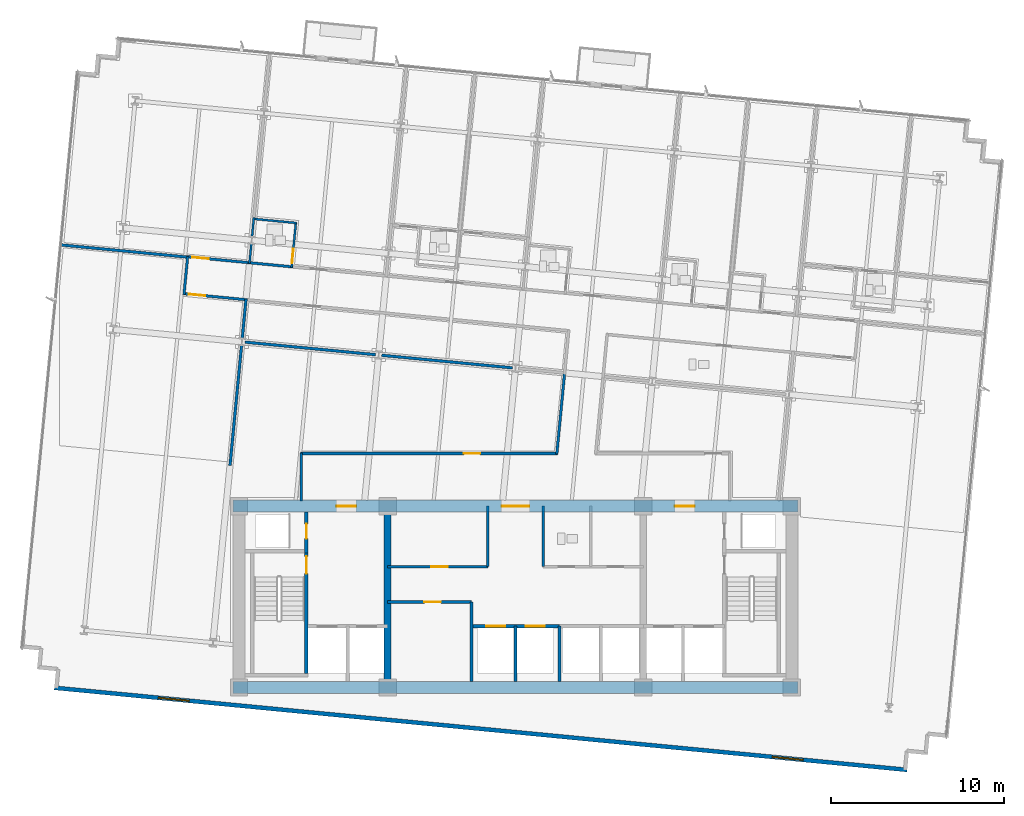
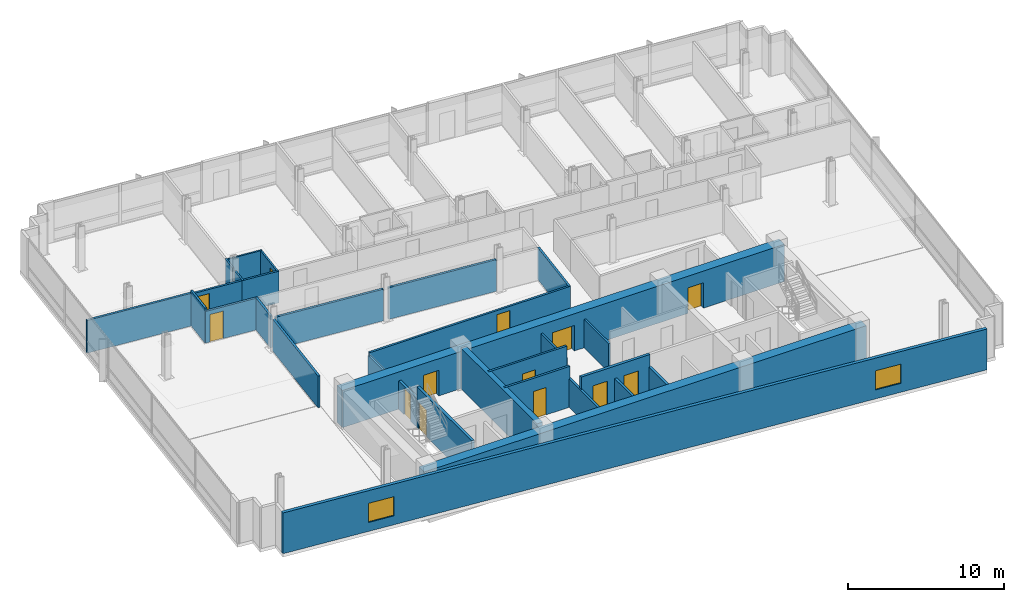
# One storey, part 10 of 17: 30 walls, 13 doors, 2 windows, 15 openings.
"""IFC4 building model written with IfcOpenShell, lengths in metres."""

from ifc_helpers import new_model, si_unit, direction, frame, frame_2d, origin, place, context, subcontext, project, spatial, rectangle, extrude, material, layer, layer_set, type_object, element, fill, save


model = new_model("IFC4")

# Units and contexts
model_context = context("Model", 3, precision=1e-05, world=origin(), true_north=direction((0.0, 1.0)))
body_context = subcontext(model_context, "Body", "Model", "MODEL_VIEW")
ifc_project = project(units=[si_unit("LENGTHUNIT", "METRE"), si_unit("AREAUNIT", "SQUARE_METRE"), si_unit("VOLUMEUNIT", "CUBIC_METRE"), si_unit("PLANEANGLEUNIT", "RADIAN"), si_unit("MASSUNIT", "GRAM", prefix="KILO")], contexts=[model_context])

# Site, building, storey
site_placement = place(None, origin())
site = spatial("IfcSite", under=ifc_project, at=site_placement, CompositionType="ELEMENT")
building_placement = place(site_placement, origin())
building = spatial("IfcBuilding", under=site, at=building_placement, Name="Solmavex Isthmus Hotel", CompositionType="ELEMENT")
storey_placement = place(building_placement, frame((0.0, 0.0, 142.800048828125)))
storey = spatial("IfcBuildingStorey", under=building, at=storey_placement, Name="L38", CompositionType="ELEMENT", Elevation=142.800048828125)

# Wall, openings, windows
ifc_material_1 = material(Name="Precast Concrete C40/50", Category="concrete")
ifc_layer_1 = layer(ifc_material_1, 0.25)
ifc_layer_set_1 = layer_set([ifc_layer_1], Name="Precast Concrete C40/50")
wall_type_1 = type_object("IfcWallType", Name="EW-TWR-250", PredefinedType="STANDARD", material=ifc_layer_set_1)
wall_1_placement = place(storey_placement, frame((-26.6953125, -13.01611328125, 0.0), z_axis=(0.0, 0.0, 1.0), x_axis=(0.995396268366, -0.095845025554, 0.0)))
wall_1 = element("IfcWall", 1, at=wall_1_placement, inside=storey, type_object=wall_type_1, Name="Tower Rear South Facade Wall L38", PredefinedType="STANDARD", context=body_context, shape_type="SweptSolid", body=[
    extrude(rectangle(XDim=49.599853515625, YDim=0.239990234375, at=frame_2d((24.7998046875, 0.0))), origin(), (0.0, 0.0, 1.0), 3.18994140625),
])
opening_1_placement = place(wall_1_placement, frame((6.0439453125, 0.0, 0.699951171875)))
opening_1 = element("IfcOpeningElement", 2, at=opening_1_placement, cuts=wall_1, Name="Opening WN-02", PredefinedType="OPENING", context=body_context, shape_type="SweptSolid", body=[
    extrude(rectangle(XDim=1.800048828125, YDim=1.5, at=frame_2d((0.89990234375, 0.75))), frame((0.0, 0.1298828125, 0.0), z_axis=(0.0, -1.0, 0.0), x_axis=(1.0, 0.0, 0.0)), (0.0, 0.0, 1.0), 0.260009765625),
])
opening_2_placement = place(wall_1_placement, frame((41.756103515625, 0.0, 0.699951171875)))
opening_2 = element("IfcOpeningElement", 3, at=opening_2_placement, cuts=wall_1, Name="Opening WN-02", PredefinedType="OPENING", context=body_context, shape_type="SweptSolid", body=[
    extrude(rectangle(XDim=1.800048828125, YDim=1.5, at=frame_2d((0.89990234375, 0.75))), frame((0.0, 0.1298828125, 0.0), z_axis=(0.0, -1.0, 0.0), x_axis=(1.0, 0.0, 0.0)), (0.0, 0.0, 1.0), 0.260009765625),
])
ifc_material_2 = material(Name="Clear low-E laminated glass", Category="glass")
window_type = type_object("IfcWindowType", Name="WIN-TWR-1800", PartitioningType="SINGLE_PANEL", PredefinedType="WINDOW", material=ifc_material_2)
window_1_placement = place(opening_1_placement, origin())
window_1 = element("IfcWindow", 4, at=window_1_placement, inside=storey, type_object=window_type, Name="South Facade Vision Window L38-S1", OverallHeight=1.5, OverallWidth=1.800048828125, PartitioningType="SINGLE_PANEL", PredefinedType="WINDOW", context=body_context, shape_type="SweptSolid", body=[
    extrude(rectangle(XDim=1.800048828125, YDim=1.5, at=frame_2d((0.89990234375, 0.75))), frame((0.0, 0.030029296875, 0.0), z_axis=(0.0, -1.0, 0.0), x_axis=(1.0, 0.0, 0.0)), (0.0, 0.0, 1.0), 0.06005859375),
])
fill(opening_1, window_1)
window_2_placement = place(opening_2_placement, origin())
window_2 = element("IfcWindow", 5, at=window_2_placement, inside=storey, type_object=window_type, Name="South Facade Vision Window L38-S2", OverallHeight=1.5, OverallWidth=1.800048828125, PartitioningType="SINGLE_PANEL", PredefinedType="WINDOW", context=body_context, shape_type="SweptSolid", body=[
    extrude(rectangle(XDim=1.800048828125, YDim=1.5, at=frame_2d((0.89990234375, 0.75))), frame((0.0, 0.030029296875, 0.0), z_axis=(0.0, -1.0, 0.0), x_axis=(1.0, 0.0, 0.0)), (0.0, 0.0, 1.0), 0.06005859375),
])
fill(opening_2, window_2)

# Wall, opening, door
ifc_material_3 = material(Name="Gypsum plasterboard lining", Category="gypsum")
ifc_layer_2 = layer(ifc_material_3, 0.159912109375)
ifc_layer_set_2 = layer_set([ifc_layer_2], Name="Gypsum plasterboard lining")
wall_type_2 = type_object("IfcWallType", Name="IW-COMP-160", PredefinedType="PARTITIONING", material=ifc_layer_set_2)
wall_2_placement = place(storey_placement, frame((-7.39990234375, -8.050048828125, 0.0), z_axis=(0.0, 0.0, 1.0), x_axis=(1.0, 0.0, 0.0)))
wall_2 = element("IfcWall", 6, at=wall_2_placement, inside=storey, type_object=wall_type_2, Name="Interior Partition Wall W-L38-REC-PLL-N", PredefinedType="PARTITIONING", context=body_context, shape_type="SweptSolid", body=[
    extrude(rectangle(XDim=4.849853515625, YDim=0.159912109375, at=frame_2d((2.4248046875, 0.0))), origin(), (0.0, 0.0, 1.0), 3.18994140625),
])
opening_3_placement = place(wall_2_placement, frame((2.125, 0.0, 0.0)))
opening_3 = element("IfcOpeningElement", 7, at=opening_3_placement, cuts=wall_2, Name="Opening ID-C095", PredefinedType="OPENING", context=body_context, shape_type="SweptSolid", body=[
    extrude(rectangle(XDim=0.949951171875, YDim=2.14990234375, at=frame_2d((0.47509765625, 1.074951171875))), frame((0.0, 0.08984375, 0.0), z_axis=(0.0, -1.0, 0.0), x_axis=(1.0, 0.0, 0.0)), (0.0, 0.0, 1.0), 0.179931640625),
])
ifc_material_4 = material(Name="Hardwood timber", Category="wood")
door_type_1 = type_object("IfcDoorType", Name="IDR-FD60-0950", OperationType="NOTDEFINED", PredefinedType="DOOR", material=ifc_material_4)
door_1_placement = place(opening_3_placement, origin())
door_1 = element("IfcDoor", 8, at=door_1_placement, inside=storey, type_object=door_type_1, Name="Linen Reserve Door L38", OperationType="SINGLE_SWING_LEFT", OverallHeight=2.14990234375, OverallWidth=0.949951171875, PredefinedType="DOOR", context=body_context, shape_type="SweptSolid", body=[
    extrude(rectangle(XDim=0.949951171875, YDim=2.14990234375, at=frame_2d((0.47509765625, 1.074951171875))), frame((0.0, 0.02490234375, 0.0), z_axis=(0.0, -1.0, 0.0), x_axis=(1.0, 0.0, 0.0)), (0.0, 0.0, 1.0), 0.050048828125),
])
fill(opening_3, door_1)

# Walls
wall_3_placement = place(storey_placement, frame((-2.550048828125, -12.64990234375, 0.0), z_axis=(0.0, 0.0, 1.0), x_axis=(0.0, 1.0, 0.0)))
element("IfcWall", 9, at=wall_3_placement, inside=storey, type_object=wall_type_2, Name="Interior Partition Wall W-L38-REC-PLL-E", PredefinedType="PARTITIONING", context=body_context, shape_type="SweptSolid", body=[
    extrude(rectangle(XDim=4.599853515625, YDim=0.159912109375, at=frame_2d((2.2998046875, 0.0))), origin(), (0.0, 0.0, 1.0), 2.224853515625),
])
wall_4_placement = place(storey_placement, frame((-18.942138671875, 11.91552734375, 0.0), z_axis=(0.0, 0.0, 1.0), x_axis=(-0.995395927026, 0.095848570461, 0.0)))
element("IfcWall", 10, at=wall_4_placement, inside=storey, type_object=wall_type_2, Name="Interior Partition Wall W-L38-P030", PredefinedType="PARTITIONING", context=body_context, shape_type="SweptSolid", body=[
    extrude(rectangle(XDim=7.44775390625, YDim=0.159912109375, at=frame_2d((3.723876953125, 0.0))), origin(), (0.0, 0.0, 1.0), 2.557373046875),
])
wall_5_placement = place(storey_placement, frame((-15.820556640625, 7.190673828125, 0.0), z_axis=(0.0, 0.0, 1.0), x_axis=(0.09580488871, 0.995400132258, 0.0)))
element("IfcWall", 11, at=wall_5_placement, inside=storey, type_object=wall_type_2, Name="Interior Partition Wall W-L38-P075", PredefinedType="PARTITIONING", context=body_context, shape_type="SweptSolid", body=[
    extrude(rectangle(XDim=2.31396484375, YDim=0.159912109375, at=frame_2d((1.156982421875, 0.0))), origin(), (0.0, 0.0, 1.0), 2.4794921875),
])
for number, where, z_axis, x_axis, name in (
    (12, (-8.09326171875, 6.269775390625, 0.0), (0.0, 0.0, 1.0), (-0.995396962155, 0.095837819954, 0.0), "Interior Partition Wall W-L38-P076"),
    (13, (-0.173828125, 5.507080078125, 0.0), (0.0, 0.0, 1.0), (-0.995393898805, 0.095869631385, 0.0), "Interior Partition Wall W-L38-P077"),
):
    element("IfcWall", number, at=place(storey_placement, frame(where, z_axis=z_axis, x_axis=x_axis)), inside=storey, type_object=wall_type_2, Name=name, PredefinedType="PARTITIONING", context=body_context, shape_type="SweptSolid", body=[
        extrude(rectangle(XDim=7.60400390625, YDim=0.159912109375, at=frame_2d((3.802001953125, 0.0))), origin(), (0.0, 0.0, 1.0), 2.4794921875),
    ])
wall_6_placement = place(storey_placement, frame((-15.854248046875, 6.84033203125, 0.0), z_axis=(0.0, 0.0, 1.0), x_axis=(-0.095860309466, -0.995394796585, 0.0)))
element("IfcWall", 14, at=wall_6_placement, inside=storey, type_object=wall_type_2, Name="Interior Partition Wall W-L38-P080", PredefinedType="PARTITIONING", context=body_context, shape_type="SweptSolid", body=[
    extrude(rectangle(XDim=7.013916015625, YDim=0.159912109375, at=frame_2d((3.5068359375, 0.0))), origin(), (0.0, 0.0, 1.0), 2.4794921875),
])

# Wall, opening, door
ifc_layer_3 = layer(ifc_material_3, 0.14990234375)
ifc_layer_set_3 = layer_set([ifc_layer_3], Name="Gypsum plasterboard lining")
wall_type_3 = type_object("IfcWallType", Name="IW-CORR-150", PredefinedType="PARTITIONING", material=ifc_layer_set_3)
wall_7_placement = place(storey_placement, frame((-7.39990234375, -6.0, 0.0), z_axis=(0.0, 0.0, 1.0), x_axis=(1.0, 0.0, 0.0)))
wall_7 = element("IfcWall", 15, at=wall_7_placement, inside=storey, type_object=wall_type_3, Name="Interior Partition Wall W-L38-BOH-WS", PredefinedType="PARTITIONING", context=body_context, shape_type="SweptSolid", body=[
    extrude(rectangle(XDim=5.7998046875, YDim=0.14990234375, at=frame_2d((2.89990234375, 0.0))), origin(), (0.0, 0.0, 1.0), 3.18994140625),
])
opening_4_placement = place(wall_7_placement, frame((2.52490234375, 0.0, 0.0)))
opening_4 = element("IfcOpeningElement", 16, at=opening_4_placement, cuts=wall_7, Name="Opening ID-C095", PredefinedType="OPENING", context=body_context, shape_type="SweptSolid", body=[
    extrude(rectangle(XDim=0.949951171875, YDim=2.14990234375, at=frame_2d((0.47509765625, 1.074951171875))), frame((0.0, 0.0849609375, 0.0), z_axis=(0.0, -1.0, 0.0), x_axis=(1.0, 0.0, 0.0)), (0.0, 0.0, 1.0), 0.169921875),
])
door_2_placement = place(opening_4_placement, frame((0.949951171875, 0.0, 0.0), z_axis=(0.0, 0.0, 1.0), x_axis=(-1.0, 0.0, 0.0)))
door_2 = element("IfcDoor", 17, at=door_2_placement, inside=storey, type_object=door_type_1, Name="Housekeeping Room Door L38", OperationType="SINGLE_SWING_LEFT", OverallHeight=2.14990234375, OverallWidth=0.949951171875, PredefinedType="DOOR", context=body_context, shape_type="SweptSolid", body=[
    extrude(rectangle(XDim=0.949951171875, YDim=2.14990234375, at=frame_2d((0.47509765625, 1.074951171875))), frame((0.0, 0.02490234375, 0.0), z_axis=(0.0, -1.0, 0.0), x_axis=(1.0, 0.0, 0.0)), (0.0, 0.0, 1.0), 0.050048828125),
])
fill(opening_4, door_2)

# Walls
for number, where, z_axis, x_axis, name in (
    (18, (-1.60009765625, -6.0, 0.0), (0.0, 0.0, 1.0), (0.0, 1.0, 0.0), "Interior Partition Wall W-L38-BOH-WE"),
    (19, (1.60009765625, -6.0, 0.0), (0.0, 0.0, 1.0), (0.0, 1.0, 0.0), "Interior Partition Wall W-L38-BOH-EW"),
):
    element("IfcWall", number, at=place(storey_placement, frame(where, z_axis=z_axis, x_axis=x_axis)), inside=storey, type_object=wall_type_3, Name=name, PredefinedType="PARTITIONING", context=body_context, shape_type="SweptSolid", body=[
        extrude(rectangle(XDim=3.5, YDim=0.14990234375, at=frame_2d((1.75, 0.0))), origin(), (0.0, 0.0, 1.0), 2.224853515625),
    ])

# Wall, opening, door
wall_8_placement = place(storey_placement, frame((-19.019775390625, 11.943115234375, 0.0), z_axis=(0.0, 0.0, 1.0), x_axis=(0.995397364202, -0.095833644092, 0.0)))
wall_8 = element("IfcWall", 20, at=wall_8_placement, inside=storey, type_object=wall_type_3, Name="Interior Partition Wall W-L38-P001", PredefinedType="PARTITIONING", context=body_context, shape_type="SweptSolid", body=[
    extrude(rectangle(XDim=3.721923828125, YDim=0.14990234375, at=frame_2d((1.86083984375, 0.0))), origin(), (0.0, 0.0, 1.0), 2.4794921875),
])
opening_5_placement = place(wall_8_placement, frame((0.315185546875, 0.0, 0.0)))
opening_5 = element("IfcOpeningElement", 21, at=opening_5_placement, cuts=wall_8, Name="Opening ID-C095", PredefinedType="OPENING", context=body_context, shape_type="SweptSolid", body=[
    extrude(rectangle(XDim=0.949951171875, YDim=2.14990234375, at=frame_2d((0.47509765625, 1.074951171875))), frame((0.0, 0.0849609375, 0.0), z_axis=(0.0, -1.0, 0.0), x_axis=(1.0, 0.0, 0.0)), (0.0, 0.0, 1.0), 0.169921875),
])
door_3_placement = place(opening_5_placement, frame((0.949951171875, 0.0, 0.0), z_axis=(0.0, 0.0, 1.0), x_axis=(-1.0, 0.0, 0.0)))
door_3 = element("IfcDoor", 22, at=door_3_placement, inside=storey, type_object=door_type_1, Name="Executive Hospitality Lounge Door L38-01", OperationType="SINGLE_SWING_LEFT", OverallHeight=2.14990234375, OverallWidth=0.949951171875, PredefinedType="DOOR", context=body_context, shape_type="SweptSolid", body=[
    extrude(rectangle(XDim=0.949951171875, YDim=2.14990234375, at=frame_2d((0.47509765625, 1.074951171875))), frame((0.0, 0.02490234375, 0.0), z_axis=(0.0, -1.0, 0.0), x_axis=(1.0, 0.0, 0.0)), (0.0, 0.0, 1.0), 0.050048828125),
])
fill(opening_5, door_3)

# Wall
wall_9_placement = place(storey_placement, frame((-15.478271484375, 11.60205078125, 0.0), z_axis=(0.0, 0.0, 1.0), x_axis=(0.995398413865, -0.095822740911, 0.0)))
element("IfcWall", 23, at=wall_9_placement, inside=storey, type_object=wall_type_3, Name="Interior Partition Wall W-L38-P003", PredefinedType="PARTITIONING", context=body_context, shape_type="SweptSolid", body=[
    extrude(rectangle(XDim=2.614013671875, YDim=0.14990234375, at=frame_2d((1.30712890625, 0.0))), origin(), (0.0, 0.0, 1.0), 2.4794921875),
])

# Wall, opening, door
wall_10_placement = place(storey_placement, frame((-15.52099609375, 9.4462890625, 0.0), z_axis=(0.0, 0.0, 1.0), x_axis=(-0.995397364202, 0.095833644092, 0.0)))
wall_10 = element("IfcWall", 24, at=wall_10_placement, inside=storey, type_object=wall_type_3, Name="Interior Partition Wall W-L38-P021", PredefinedType="PARTITIONING", context=body_context, shape_type="SweptSolid", body=[
    extrude(rectangle(XDim=3.721923828125, YDim=0.14990234375, at=frame_2d((1.86083984375, 0.0))), origin(), (0.0, 0.0, 1.0), 2.4794921875),
])
opening_6_placement = place(wall_10_placement, frame((2.456787109375, 0.0, 0.0)))
opening_6 = element("IfcOpeningElement", 25, at=opening_6_placement, cuts=wall_10, Name="Opening ID-C095", PredefinedType="OPENING", context=body_context, shape_type="SweptSolid", body=[
    extrude(rectangle(XDim=0.949951171875, YDim=2.14990234375, at=frame_2d((0.47509765625, 1.074951171875))), frame((0.0, 0.0849609375, 0.0), z_axis=(0.0, -1.0, 0.0), x_axis=(1.0, 0.0, 0.0)), (0.0, 0.0, 1.0), 0.169921875),
])
door_4_placement = place(opening_6_placement, frame((0.949951171875, 0.0, 0.0), z_axis=(0.0, 0.0, 1.0), x_axis=(-1.0, 0.0, 0.0)))
door_4 = element("IfcDoor", 26, at=door_4_placement, inside=storey, type_object=door_type_1, Name="Executive Hospitality Lounge Door L38-22", OperationType="SINGLE_SWING_RIGHT", OverallHeight=2.14990234375, OverallWidth=0.949951171875, PredefinedType="DOOR", context=body_context, shape_type="SweptSolid", body=[
    extrude(rectangle(XDim=0.949951171875, YDim=2.14990234375, at=frame_2d((0.47509765625, 1.074951171875))), frame((0.0, 0.02490234375, 0.0), z_axis=(0.0, -1.0, 0.0), x_axis=(1.0, 0.0, 0.0)), (0.0, 0.0, 1.0), 0.050048828125),
])
fill(opening_6, door_4)

# Walls
wall_11_placement = place(storey_placement, frame((-19.18994140625, 9.75927734375, 0.0), z_axis=(0.0, 0.0, 1.0), x_axis=(0.095882898123, 0.995392620953, 0.0)))
element("IfcWall", 27, at=wall_11_placement, inside=storey, type_object=wall_type_3, Name="Interior Partition Wall W-L38-P022", PredefinedType="PARTITIONING", context=body_context, shape_type="SweptSolid", body=[
    extrude(rectangle(XDim=2.210205078125, YDim=0.14990234375, at=frame_2d((1.10498046875, 0.0))), origin(), (0.0, 0.0, 1.0), 2.718017578125),
])
wall_12_placement = place(storey_placement, frame((-12.39990234375, -2.18994140625, 0.0), z_axis=(0.0, 0.0, 1.0), x_axis=(0.0, 1.0, 0.0)))
element("IfcWall", 28, at=wall_12_placement, inside=storey, type_object=wall_type_3, Name="Interior Partition Wall W-L38-P023", PredefinedType="PARTITIONING", context=body_context, shape_type="SweptSolid", body=[
    extrude(rectangle(XDim=2.780029296875, YDim=0.14990234375, at=frame_2d((1.39013671875, 0.0))), origin(), (0.0, 0.0, 1.0), 2.224853515625),
])

# Wall, opening, door
wall_13_placement = place(storey_placement, frame((-12.43994140625, 0.550048828125, 0.0), z_axis=(0.0, 0.0, 1.0), x_axis=(1.0, 0.0, 0.0)))
wall_13 = element("IfcWall", 29, at=wall_13_placement, inside=storey, type_object=wall_type_3, Name="Interior Partition Wall W-L38-P024", PredefinedType="PARTITIONING", context=body_context, shape_type="SweptSolid", body=[
    extrude(rectangle(XDim=14.876708984375, YDim=0.14990234375, at=frame_2d((7.4384765625, 0.0))), origin(), (0.0, 0.0, 1.0), 2.4794921875),
])
opening_7_placement = place(wall_13_placement, frame((9.44921875, 0.0, 0.0)))
opening_7 = element("IfcOpeningElement", 30, at=opening_7_placement, cuts=wall_13, Name="Opening ID-C095", PredefinedType="OPENING", context=body_context, shape_type="SweptSolid", body=[
    extrude(rectangle(XDim=0.949951171875, YDim=2.14990234375, at=frame_2d((0.47509765625, 1.074951171875))), frame((0.0, 0.0849609375, 0.0), z_axis=(0.0, -1.0, 0.0), x_axis=(1.0, 0.0, 0.0)), (0.0, 0.0, 1.0), 0.169921875),
])
door_5_placement = place(opening_7_placement, frame((0.949951171875, 0.0, 0.0), z_axis=(0.0, 0.0, 1.0), x_axis=(-1.0, 0.0, 0.0)))
door_5 = element("IfcDoor", 31, at=door_5_placement, inside=storey, type_object=door_type_1, Name="Wellness Hydrotherapy Lounge Door L38-23", OperationType="SINGLE_SWING_LEFT", OverallHeight=2.14990234375, OverallWidth=0.949951171875, PredefinedType="DOOR", context=body_context, shape_type="SweptSolid", body=[
    extrude(rectangle(XDim=0.949951171875, YDim=2.14990234375, at=frame_2d((0.47509765625, 1.074951171875))), frame((0.0, 0.02490234375, 0.0), z_axis=(0.0, -1.0, 0.0), x_axis=(1.0, 0.0, 0.0)), (0.0, 0.0, 1.0), 0.050048828125),
])
fill(opening_7, door_5)

# Walls
wall_14_placement = place(storey_placement, frame((2.39306640625, 0.51025390625, 0.0), z_axis=(0.0, 0.0, 1.0), x_axis=(0.095829431913, 0.995397769728, 0.0)))
element("IfcWall", 32, at=wall_14_placement, inside=storey, type_object=wall_type_3, Name="Interior Partition Wall W-L38-P025", PredefinedType="PARTITIONING", context=body_context, shape_type="SweptSolid", body=[
    extrude(rectangle(XDim=4.81005859375, YDim=0.14990234375, at=frame_2d((2.405029296875, 0.0))), origin(), (0.0, 0.0, 1.0), 2.4794921875),
])
ifc_layer_4 = layer(ifc_material_3, 0.1201171875)
ifc_layer_set_4 = layer_set([ifc_layer_4], Name="Gypsum plasterboard lining")
wall_type_4 = type_object("IfcWallType", Name="IW-PART-120", PredefinedType="PARTITIONING", material=ifc_layer_set_4)
wall_15_placement = place(storey_placement, frame((-15.2880859375, 12.720947265625, 0.0), z_axis=(0.0, 0.0, 1.0), x_axis=(-0.095831494917, -0.995397571115, 0.0)))
element("IfcWall", 33, at=wall_15_placement, inside=storey, type_object=wall_type_4, Name="Interior Partition Wall W-L38-P028", PredefinedType="PARTITIONING", context=body_context, shape_type="SweptSolid", body=[
    extrude(rectangle(XDim=1.171875, YDim=0.1201171875, at=frame_2d((0.5859375, 0.0))), origin(), (0.0, 0.0, 1.0), 2.4794921875),
])
wall_16_placement = place(storey_placement, frame((-15.144287109375, 14.214111328125, 0.0), z_axis=(0.0, 0.0, 1.0), x_axis=(-0.09590284245, -0.99539069958, 0.0)))
element("IfcWall", 34, at=wall_16_placement, inside=storey, type_object=wall_type_4, Name="Interior Partition Wall W-L38-P029", PredefinedType="PARTITIONING", context=body_context, shape_type="SweptSolid", body=[
    extrude(rectangle(XDim=1.148193359375, YDim=0.1201171875, at=frame_2d((0.57421875, 0.0))), origin(), (0.0, 0.0, 1.0), 2.4794921875),
])

# Wall, opening, door
wall_17_placement = place(storey_placement, frame((-12.961669921875, 11.319580078125, 0.0), z_axis=(0.0, 0.0, 1.0), x_axis=(0.095799078022, 0.995400691506, 0.0)))
wall_17 = element("IfcWall", 35, at=wall_17_placement, inside=storey, type_object=wall_type_4, Name="Interior Partition Wall W-L38-P031", PredefinedType="PARTITIONING", context=body_context, shape_type="SweptSolid", body=[
    extrude(rectangle(XDim=2.630126953125, YDim=0.1201171875, at=frame_2d((1.31494140625, 0.0))), origin(), (0.0, 0.0, 1.0), 2.4794921875),
])
opening_8_placement = place(wall_17_placement, frame((0.247314453125, 0.0, 0.0)))
opening_8 = element("IfcOpeningElement", 36, at=opening_8_placement, cuts=wall_17, Name="Opening ID-U085", PredefinedType="OPENING", context=body_context, shape_type="SweptSolid", body=[
    extrude(rectangle(XDim=0.85009765625, YDim=2.10009765625, at=frame_2d((0.425048828125, 1.050048828125))), frame((0.0, 0.070068359375, 0.0), z_axis=(0.0, -1.0, 0.0), x_axis=(1.0, 0.0, 0.0)), (0.0, 0.0, 1.0), 0.14013671875),
])
door_type_2 = type_object("IfcDoorType", Name="IDR-UNR-0850", OperationType="NOTDEFINED", PredefinedType="DOOR", material=ifc_material_4)
door_6_placement = place(opening_8_placement, frame((0.85009765625, 0.0, 0.0), z_axis=(0.0, 0.0, 1.0), x_axis=(-1.0, 0.0, 0.0)))
door_6 = element("IfcDoor", 37, at=door_6_placement, inside=storey, type_object=door_type_2, Name="En-suite Bathroom Door L38-03", OperationType="SINGLE_SWING_LEFT", OverallHeight=2.10009765625, OverallWidth=0.85009765625, PredefinedType="DOOR", context=body_context, shape_type="SweptSolid", body=[
    extrude(rectangle(XDim=0.85009765625, YDim=2.10009765625, at=frame_2d((0.425048828125, 1.050048828125))), frame((0.0, 0.02490234375, 0.0), z_axis=(0.0, -1.0, 0.0), x_axis=(1.0, 0.0, 0.0)), (0.0, 0.0, 1.0), 0.050048828125),
])
fill(opening_8, door_6)

# Walls
wall_18_placement = place(storey_placement, frame((-12.673583984375, 13.893798828125, 0.0), z_axis=(0.0, 0.0, 1.0), x_axis=(-0.995398237687, 0.095824571015, 0.0)))
element("IfcWall", 38, at=wall_18_placement, inside=storey, type_object=wall_type_4, Name="Interior Partition Wall W-L38-P032", PredefinedType="PARTITIONING", context=body_context, shape_type="SweptSolid", body=[
    extrude(rectangle(XDim=2.530029296875, YDim=0.1201171875, at=frame_2d((1.26513671875, 0.0))), origin(), (0.0, 0.0, 1.0), 2.4794921875),
])
ifc_material_5 = material(Name="Concrete C40/50", Category="concrete")
ifc_layer_5 = layer(ifc_material_5, 0.179931640625)
ifc_layer_set_5 = layer_set([ifc_layer_5], Name="Concrete C40/50")
wall_type_5 = type_object("IfcWallType", Name="IW-SHAFT-180", PredefinedType="PARTITIONING", material=ifc_layer_set_5)
wall_19_placement = place(storey_placement, frame((0.0, -12.64990234375, 0.0), z_axis=(0.0, 0.0, 1.0), x_axis=(0.0, 1.0, 0.0)))
element("IfcWall", 39, at=wall_19_placement, inside=storey, type_object=wall_type_5, Name="Interior Partition Wall W-L38-SH-PLM-M", PredefinedType="PARTITIONING", context=body_context, shape_type="SweptSolid", body=[
    extrude(rectangle(XDim=3.199951171875, YDim=0.179931640625, at=frame_2d((1.60009765625, 0.0))), origin(), (0.0, 0.0, 1.0), 2.224853515625),
])

# Wall, opening, door
ifc_layer_6 = layer(ifc_material_5, 0.199951171875)
ifc_layer_set_6 = layer_set([ifc_layer_6], Name="Concrete C40/50")
wall_type_6 = type_object("IfcWallType", Name="IW-SHAFT-200", PredefinedType="PARTITIONING", material=ifc_layer_set_6)
wall_20_placement = place(storey_placement, frame((-12.10009765625, -5.199951171875, 0.0), z_axis=(0.0, 0.0, 1.0), x_axis=(0.0, 1.0, 0.0)))
wall_20 = element("IfcWall", 40, at=wall_20_placement, inside=storey, type_object=wall_type_6, Name="Interior Partition Wall W-L38-RSW-E", PredefinedType="PARTITIONING", context=body_context, shape_type="SweptSolid", body=[
    extrude(rectangle(XDim=2.349853515625, YDim=0.199951171875, at=frame_2d((1.1748046875, 0.0))), origin(), (0.0, 0.0, 1.0), 2.224853515625),
])
opening_9_placement = place(wall_20_placement, frame((0.824951171875, 0.0, 0.0)))
opening_9 = element("IfcOpeningElement", 41, at=opening_9_placement, cuts=wall_20, Name="Opening ID-R085", PredefinedType="OPENING", context=body_context, shape_type="SweptSolid", body=[
    extrude(rectangle(XDim=0.85009765625, YDim=2.050048828125, at=frame_2d((0.425048828125, 1.02490234375))), frame((0.0, 0.10986328125, 0.0), z_axis=(0.0, -1.0, 0.0), x_axis=(1.0, 0.0, 0.0)), (0.0, 0.0, 1.0), 0.219970703125),
])
ifc_material_6 = material(Name="Steel ASTM A500 Grade C", Category="steel")
door_type_3 = type_object("IfcDoorType", Name="IDR-FD60-0850", OperationType="NOTDEFINED", PredefinedType="DOOR", material=ifc_material_6)
door_7_placement = place(opening_9_placement, origin())
door_7 = element("IfcDoor", 42, at=door_7_placement, inside=storey, type_object=door_type_3, Name="Electrical Riser Door L38", OperationType="SINGLE_SWING_RIGHT", OverallHeight=2.050048828125, OverallWidth=0.85009765625, PredefinedType="DOOR", context=body_context, shape_type="SweptSolid", body=[
    extrude(rectangle(XDim=0.85009765625, YDim=2.050048828125, at=frame_2d((0.425048828125, 1.02490234375))), frame((0.0, 0.02490234375, 0.0), z_axis=(0.0, -1.0, 0.0), x_axis=(1.0, 0.0, 0.0)), (0.0, 0.0, 1.0), 0.050048828125),
])
fill(opening_9, door_7)

# Wall, openings, doors
wall_21_placement = place(storey_placement, frame((-2.550048828125, -9.449951171875, 0.0), z_axis=(0.0, 0.0, 1.0), x_axis=(1.0, 0.0, 0.0)))
wall_21 = element("IfcWall", 43, at=wall_21_placement, inside=storey, type_object=wall_type_6, Name="Interior Partition Wall W-L38-SH-PLM", PredefinedType="PARTITIONING", context=body_context, shape_type="SweptSolid", body=[
    extrude(rectangle(XDim=5.10009765625, YDim=0.199951171875, at=frame_2d((2.550048828125, 0.0))), origin(), (0.0, 0.0, 1.0), 3.18994140625),
])
opening_10_placement = place(wall_21_placement, frame((0.85009765625, 0.0, 0.0)))
opening_10 = element("IfcOpeningElement", 44, at=opening_10_placement, cuts=wall_21, Name="Opening LD-PL", PredefinedType="OPENING", context=body_context, shape_type="SweptSolid", body=[
    extrude(rectangle(XDim=1.10009765625, YDim=2.199951171875, at=frame_2d((0.550048828125, 1.10009765625))), frame((0.0, 0.10986328125, 0.0), z_axis=(0.0, -1.0, 0.0), x_axis=(1.0, 0.0, 0.0)), (0.0, 0.0, 1.0), 0.219970703125),
])
opening_11_placement = place(wall_21_placement, frame((3.14990234375, 0.0, 0.0)))
opening_11 = element("IfcOpeningElement", 45, at=opening_11_placement, cuts=wall_21, Name="Opening LD-PL", PredefinedType="OPENING", context=body_context, shape_type="SweptSolid", body=[
    extrude(rectangle(XDim=1.10009765625, YDim=2.199951171875, at=frame_2d((0.550048828125, 1.10009765625))), frame((0.0, 0.10986328125, 0.0), z_axis=(0.0, -1.0, 0.0), x_axis=(1.0, 0.0, 0.0)), (0.0, 0.0, 1.0), 0.219970703125),
])
ifc_material_7 = material(Name="Stainless steel 316", Category="steel")
door_type_4 = type_object("IfcDoorType", Name="LDR-PL-1100", OperationType="NOTDEFINED", PredefinedType="DOOR", material=ifc_material_7)
door_8_placement = place(opening_10_placement, origin())
door_8 = element("IfcDoor", 46, at=door_8_placement, inside=storey, type_object=door_type_4, Name="Lift Landing Door PLM1 L38", OperationType="SLIDING_TO_RIGHT", OverallHeight=2.199951171875, OverallWidth=1.10009765625, PredefinedType="DOOR", context=body_context, shape_type="SweptSolid", body=[
    extrude(rectangle(XDim=1.10009765625, YDim=2.199951171875, at=frame_2d((0.550048828125, 1.10009765625))), frame((0.0, 0.02490234375, 0.0), z_axis=(0.0, -1.0, 0.0), x_axis=(1.0, 0.0, 0.0)), (0.0, 0.0, 1.0), 0.050048828125),
])
fill(opening_10, door_8)
door_9_placement = place(opening_11_placement, origin())
door_9 = element("IfcDoor", 47, at=door_9_placement, inside=storey, type_object=door_type_4, Name="Lift Landing Door PLM2 L38", OperationType="SLIDING_TO_RIGHT", OverallHeight=2.199951171875, OverallWidth=1.10009765625, PredefinedType="DOOR", context=body_context, shape_type="SweptSolid", body=[
    extrude(rectangle(XDim=1.10009765625, YDim=2.199951171875, at=frame_2d((0.550048828125, 1.10009765625))), frame((0.0, 0.02490234375, 0.0), z_axis=(0.0, -1.0, 0.0), x_axis=(1.0, 0.0, 0.0)), (0.0, 0.0, 1.0), 0.050048828125),
])
fill(opening_11, door_9)

# Walls
wall_22_placement = place(storey_placement, frame((2.550048828125, -12.64990234375, 0.0), z_axis=(0.0, 0.0, 1.0), x_axis=(0.0, 1.0, 0.0)))
element("IfcWall", 48, at=wall_22_placement, inside=storey, type_object=wall_type_6, Name="Interior Partition Wall W-L38-SH-PLM-E", PredefinedType="PARTITIONING", context=body_context, shape_type="SweptSolid", body=[
    extrude(rectangle(XDim=3.199951171875, YDim=0.199951171875, at=frame_2d((1.60009765625, 0.0))), origin(), (0.0, 0.0, 1.0), 2.224853515625),
])
ifc_material_8 = material(Name="Concrete C60/75", Category="concrete")
ifc_layer_7 = layer(ifc_material_8, 0.39990234375)
ifc_layer_set_7 = layer_set([ifc_layer_7], Name="Concrete C60/75")
wall_type_7 = type_object("IfcWallType", Name="WALL-CW-400M", PredefinedType="SHEAR", material=ifc_layer_set_7)
wall_23_placement = place(storey_placement, frame((-7.39990234375, -12.64990234375, 0.0), z_axis=(0.0, 0.0, 1.0), x_axis=(0.0, 1.0, 0.0)))
element("IfcWall", 49, at=wall_23_placement, inside=storey, type_object=wall_type_7, Name="Core Cross Shear Wall C1 L38", PredefinedType="SHEAR", context=body_context, shape_type="SweptSolid", body=[
    extrude(rectangle(XDim=9.7998046875, YDim=0.39990234375, at=frame_2d((4.89990234375, 0.0))), origin(), (0.0, 0.0, 1.0), 3.18994140625),
])
ifc_layer_8 = layer(ifc_material_8, 0.699951171875)
ifc_layer_set_8 = layer_set([ifc_layer_8], Name="Concrete C60/75")
wall_type_8 = type_object("IfcWallType", Name="WALL-CW-700", PredefinedType="SHEAR", material=ifc_layer_set_8)
wall_24_placement = place(storey_placement, frame((-16.35009765625, -13.0, 0.0), z_axis=(0.0, 0.0, 1.0), x_axis=(1.0, 0.0, 0.0)))
element("IfcWall", 50, at=wall_24_placement, inside=storey, type_object=wall_type_8, Name="Core Shear Wall South L38", PredefinedType="SHEAR", context=body_context, shape_type="SweptSolid", body=[
    extrude(rectangle(XDim=32.7001953125, YDim=0.699951171875, at=frame_2d((16.35009765625, 0.0))), origin(), (0.0, 0.0, 1.0), 2.909912109375),
])

# Wall, openings, doors
wall_25_placement = place(storey_placement, frame((-16.35009765625, -2.5, 0.0), z_axis=(0.0, 0.0, 1.0), x_axis=(1.0, 0.0, 0.0)))
wall_25 = element("IfcWall", 51, at=wall_25_placement, inside=storey, type_object=wall_type_8, Name="Core Shear Wall North L38", PredefinedType="SHEAR", context=body_context, shape_type="SweptSolid", body=[
    extrude(rectangle(XDim=32.7001953125, YDim=0.699951171875, at=frame_2d((16.35009765625, 0.0))), origin(), (0.0, 0.0, 1.0), 2.909912109375),
])
opening_12_placement = place(wall_25_placement, frame((5.97509765625, 0.0, 0.0)))
opening_12 = element("IfcOpeningElement", 52, at=opening_12_placement, cuts=wall_25, Name="Opening ID-F915", PredefinedType="OPENING", context=body_context, shape_type="SweptSolid", body=[
    extrude(rectangle(XDim=1.14990234375, YDim=2.0, at=frame_2d((0.574951171875, 1.0))), frame((0.0, 0.35986328125, 0.0), z_axis=(0.0, -1.0, 0.0), x_axis=(1.0, 0.0, 0.0)), (0.0, 0.0, 1.0), 0.719970703125),
])
opening_13_placement = place(wall_25_placement, frame((15.550048828125, 0.0, 0.0)))
opening_13 = element("IfcOpeningElement", 53, at=opening_13_placement, cuts=wall_25, Name="Opening ID-F960", PredefinedType="OPENING", context=body_context, shape_type="SweptSolid", body=[
    extrude(rectangle(XDim=1.60009765625, YDim=2.0, at=frame_2d((0.800048828125, 1.0))), frame((0.0, 0.35986328125, 0.0), z_axis=(0.0, -1.0, 0.0), x_axis=(1.0, 0.0, 0.0)), (0.0, 0.0, 1.0), 0.719970703125),
])
opening_14_placement = place(wall_25_placement, frame((25.574951171875, 0.0, 0.0)))
opening_14 = element("IfcOpeningElement", 54, at=opening_14_placement, cuts=wall_25, Name="Opening ID-F915", PredefinedType="OPENING", context=body_context, shape_type="SweptSolid", body=[
    extrude(rectangle(XDim=1.14990234375, YDim=2.0, at=frame_2d((0.574951171875, 1.0))), frame((0.0, 0.35986328125, 0.0), z_axis=(0.0, -1.0, 0.0), x_axis=(1.0, 0.0, 0.0)), (0.0, 0.0, 1.0), 0.719970703125),
])
door_type_5 = type_object("IfcDoorType", Name="IDR-FD90-1150C", OperationType="NOTDEFINED", PredefinedType="DOOR", material=ifc_material_6)
door_10_placement = place(opening_12_placement, origin())
door_10 = element("IfcDoor", 55, at=door_10_placement, inside=storey, type_object=door_type_5, Name="Firefighting Lobby West Exit Door L38", OperationType="SINGLE_SWING_LEFT", OverallHeight=2.0, OverallWidth=1.14990234375, PredefinedType="DOOR", context=body_context, shape_type="SweptSolid", body=[
    extrude(rectangle(XDim=1.14990234375, YDim=2.0, at=frame_2d((0.574951171875, 1.0))), frame((0.0, 0.02490234375, 0.0), z_axis=(0.0, -1.0, 0.0), x_axis=(1.0, 0.0, 0.0)), (0.0, 0.0, 1.0), 0.050048828125),
])
fill(opening_12, door_10)
door_11_placement = place(opening_14_placement, origin())
door_11 = element("IfcDoor", 56, at=door_11_placement, inside=storey, type_object=door_type_5, Name="Firefighting Lobby East Exit Door L38", OperationType="SINGLE_SWING_RIGHT", OverallHeight=2.0, OverallWidth=1.14990234375, PredefinedType="DOOR", context=body_context, shape_type="SweptSolid", body=[
    extrude(rectangle(XDim=1.14990234375, YDim=2.0, at=frame_2d((0.574951171875, 1.0))), frame((0.0, 0.02490234375, 0.0), z_axis=(0.0, -1.0, 0.0), x_axis=(1.0, 0.0, 0.0)), (0.0, 0.0, 1.0), 0.050048828125),
])
fill(opening_14, door_11)
door_type_6 = type_object("IfcDoorType", Name="IDR-FD90-1600C", OperationType="NOTDEFINED", PredefinedType="DOOR", material=ifc_material_6)
door_12_placement = place(opening_13_placement, origin())
door_12 = element("IfcDoor", 57, at=door_12_placement, inside=storey, type_object=door_type_6, Name="Central Lift Lobby Door L38", OperationType="DOUBLE_DOOR_SINGLE_SWING", OverallHeight=2.0, OverallWidth=1.60009765625, PredefinedType="DOOR", context=body_context, shape_type="SweptSolid", body=[
    extrude(rectangle(XDim=1.60009765625, YDim=2.0, at=frame_2d((0.800048828125, 1.0))), frame((0.0, 0.02490234375, 0.0), z_axis=(0.0, -1.0, 0.0), x_axis=(1.0, 0.0, 0.0)), (0.0, 0.0, 1.0), 0.050048828125),
])
fill(opening_13, door_12)

# Wall, opening, door
ifc_layer_9 = layer(ifc_material_5, 0.199951171875)
ifc_layer_set_9 = layer_set([ifc_layer_9], Name="Concrete C40/50")
wall_type_9 = type_object("IfcWallType", Name="WALL-SW-200", PredefinedType="SOLIDWALL", material=ifc_layer_set_9)
wall_26_placement = place(storey_placement, frame((-12.10009765625, -12.199951171875, 0.0), z_axis=(0.0, 0.0, 1.0), x_axis=(0.0, 1.0, 0.0)))
wall_26 = element("IfcWall", 58, at=wall_26_placement, inside=storey, type_object=wall_type_9, Name="Stairwell Structural Wall SW-L38-ST1-E", PredefinedType="SOLIDWALL", context=body_context, shape_type="SweptSolid", body=[
    extrude(rectangle(XDim=7.0, YDim=0.199951171875, at=frame_2d((3.5, 0.0))), origin(), (0.0, 0.0, 1.0), 3.18994140625),
])
opening_15_placement = place(wall_26_placement, frame((5.800048828125, 0.0, 0.0)))
opening_15 = element("IfcOpeningElement", 59, at=opening_15_placement, cuts=wall_26, Name="Opening ID-F100", PredefinedType="OPENING", context=body_context, shape_type="SweptSolid", body=[
    extrude(rectangle(XDim=1.0, YDim=2.10009765625, at=frame_2d((0.5, 1.050048828125))), frame((0.0, 0.10986328125, 0.0), z_axis=(0.0, -1.0, 0.0), x_axis=(1.0, 0.0, 0.0)), (0.0, 0.0, 1.0), 0.219970703125),
])
door_type_7 = type_object("IfcDoorType", Name="IDR-FD90-1000", OperationType="NOTDEFINED", PredefinedType="DOOR", material=ifc_material_6)
door_13_placement = place(opening_15_placement, frame((1.0, 0.0, 0.0), z_axis=(0.0, 0.0, 1.0), x_axis=(-1.0, 0.0, 0.0)))
door_13 = element("IfcDoor", 60, at=door_13_placement, inside=storey, type_object=door_type_7, Name="Stair ST-1 Fire Door L38", OperationType="SINGLE_SWING_LEFT", OverallHeight=2.10009765625, OverallWidth=1.0, PredefinedType="DOOR", context=body_context, shape_type="SweptSolid", body=[
    extrude(rectangle(XDim=1.0, YDim=2.10009765625, at=frame_2d((0.5, 1.050048828125))), frame((0.0, 0.02490234375, 0.0), z_axis=(0.0, -1.0, 0.0), x_axis=(1.0, 0.0, 0.0)), (0.0, 0.0, 1.0), 0.050048828125),
])
fill(opening_15, door_13)

save(model, "model.ifc")
